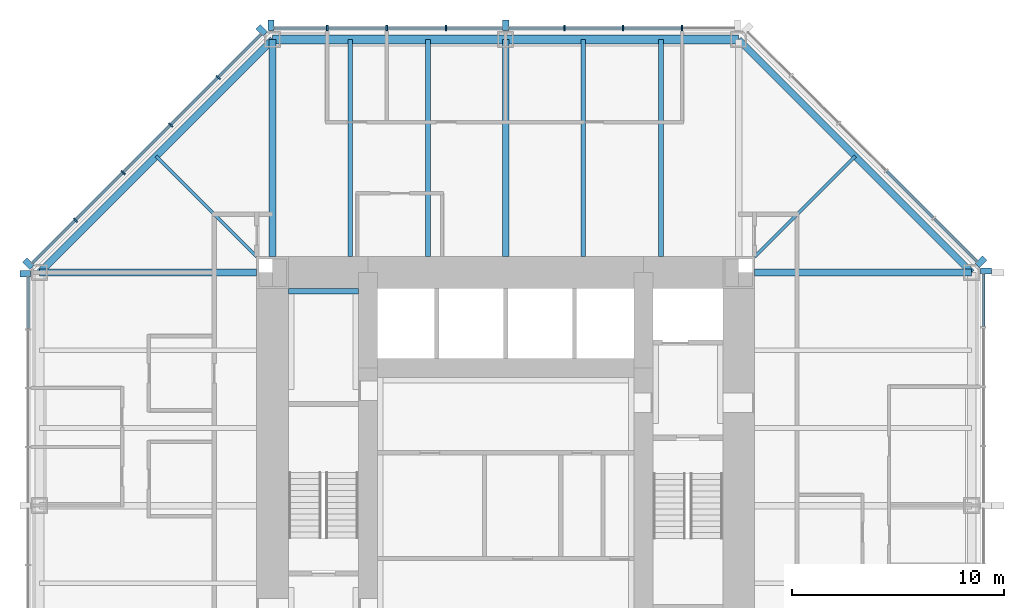
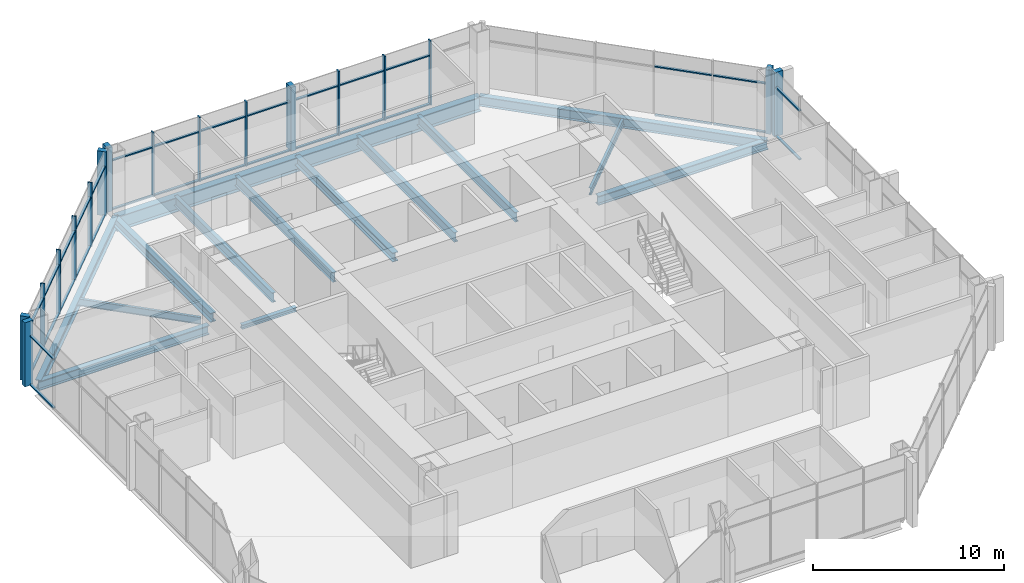
# One storey, part 5 of 12: 49 members, 15 beams, 5 elements without a shape of their own.
"""IFC4 building model written with IfcOpenShell, lengths in metres."""

from ifc_helpers import new_model, si_unit, direction, frame, origin, origin_2d, place, context, subcontext, project, spatial, rectangle, i_section, extrude, material, material_profile, profile_set, type_object, element, aggregate, save


model = new_model("IFC4")

# Units and contexts
model_context = context("Model", 3, precision=1e-05, world=origin(), true_north=direction((0.0, 1.0)))
body_context = subcontext(model_context, "Body", "Model", "MODEL_VIEW")
ifc_project = project(units=[si_unit("LENGTHUNIT", "METRE"), si_unit("AREAUNIT", "SQUARE_METRE"), si_unit("VOLUMEUNIT", "CUBIC_METRE"), si_unit("PLANEANGLEUNIT", "RADIAN"), si_unit("MASSUNIT", "GRAM", prefix="KILO")], contexts=[model_context])

# Site, building, storey
site_placement = place(None, origin())
site = spatial("IfcSite", under=ifc_project, at=site_placement, CompositionType="ELEMENT")
building_placement = place(site_placement, origin())
building = spatial("IfcBuilding", under=site, at=building_placement, Name="Trevanion Tower", CompositionType="ELEMENT")
storey_placement = place(building_placement, frame((0.0, 0.0, 141.800048828125)))
storey = spatial("IfcBuildingStorey", under=building, at=storey_placement, Name="L33", CompositionType="ELEMENT", Elevation=141.800048828125)

# Beams
ifc_material_1 = material(Name="Steel ASTM A992 Grade 50", Category="steel")
ifc_material_profile_1 = material_profile(ifc_material_1, i_section(OverallWidth=0.22900390625, OverallDepth=0.612060546875, WebThickness=0.011962890625, FlangeThickness=0.01953125, at=origin_2d()), Name="W24X84")
ifc_profile_set_1 = profile_set([ifc_material_profile_1], Name="Steel ASTM A992 Grade 50")
beam_type_1 = type_object("IfcBeamType", Name="B7 W24X84", PredefinedType="BEAM", material=ifc_profile_set_1)
for number, where, z_axis, x_axis, name in (
    (1, (7.333251953125, 11.75, -0.49609375), (0.0, 1.0, 0.0), (-1.0, 0.0, 0.0), "B7 L33"),
    (2, (3.666748046875, 11.75, -0.49609375), (0.0, 1.0, 0.0), (-1.0, 0.0, 0.0), "B7 L33"),
    (3, (-3.666748046875, 11.75, -0.49609375), (0.0, 1.0, 0.0), (-1.0, 0.0, 0.0), "B7 L33"),
    (4, (-7.333251953125, 11.75, -0.49609375), (0.0, 1.0, 0.0), (-1.0, 0.0, 0.0), "B7 L33"),
):
    element("IfcBeam", number, at=place(storey_placement, frame(where, z_axis=z_axis, x_axis=x_axis)), inside=storey, type_object=beam_type_1, Name=name, PredefinedType="BEAM", context=body_context, shape_type="SweptSolid", body=[
        extrude(i_section(OverallWidth=0.22900390625, OverallDepth=0.612060546875, WebThickness=0.011962890625, FlangeThickness=0.01953125, at=origin_2d()), origin(), (0.0, 0.0, 1.0), 10.25),
    ])
ifc_material_2 = material(Name="Steel ASTM A992 Grade 50", Category="steel")
ifc_material_profile_2 = material_profile(ifc_material_2, i_section(OverallWidth=0.15234375, OverallDepth=0.449462890625, WebThickness=0.007568359375, FlangeThickness=0.0107421875, at=origin_2d()), Name="W18X35")
ifc_profile_set_2 = profile_set([ifc_material_profile_2], Name="Steel ASTM A992 Grade 50")
beam_type_2 = type_object("IfcBeamType", Name="B8 W18X35", PredefinedType="BEAM", material=ifc_profile_set_2)
for number, where, z_axis, x_axis, name in (
    (5, (11.75, 11.75, -0.414794921875), (0.707106781187, 0.707106781187, 0.0), (-0.707106781187, 0.707106781187, 0.0), "B8 L33"),
    (6, (-11.75, 11.75, -0.414794921875), (-0.707106781187, 0.707106781187, 0.0), (-0.707106781187, -0.707106781187, 0.0), "B8 L33"),
):
    element("IfcBeam", number, at=place(storey_placement, frame(where, z_axis=z_axis, x_axis=x_axis)), inside=storey, type_object=beam_type_2, Name=name, PredefinedType="BEAM", context=body_context, shape_type="SweptSolid", body=[
        extrude(i_section(OverallWidth=0.15234375, OverallDepth=0.449462890625, WebThickness=0.007568359375, FlangeThickness=0.0107421875, at=origin_2d()), origin(), (0.0, 0.0, 1.0), 6.717529296875),
    ])

# Curtain wall, members
ifc_material_3 = material(Name="Aluminium and glass", Category="aluminium")
curtain_wall_type = type_object("IfcCurtainWallType", Name="CW2 curtain wall", PredefinedType="USERDEFINED", material=ifc_material_3)
curtain_wall_1_placement = place(storey_placement, origin())
curtain_wall_1 = element("IfcCurtainWall", 7, at=curtain_wall_1_placement, inside=storey, type_object=curtain_wall_type, Name="CW2 L33 2", ObjectType="UNITISED CURTAIN WALL", PredefinedType="USERDEFINED")
ifc_material_4 = material(Name="Aluminium extrusion, anodised bronze", Category="aluminium")
ifc_material_profile_3 = material_profile(ifc_material_4, rectangle(XDim=0.074951171875, YDim=0.25, at=origin_2d()), Name="CW2 mullion")
ifc_profile_set_3 = profile_set([ifc_material_profile_3], Name="Aluminium extrusion, anodised bronze")
member_type_1 = type_object("IfcMemberType", Name="CW2 mullion", PredefinedType="MULLION", material=ifc_profile_set_3)
member_1_placement = place(storey_placement, frame((8.323486328125, 22.550048828125, -0.18994140625), z_axis=(0.0, 0.0, 1.0), x_axis=(-1.0, 0.0, 0.0)))
member_1 = element("IfcMember", 8, at=member_1_placement, type_object=member_type_1, Name="CW2 mullion 2", PredefinedType="MULLION", context=body_context, shape_type="SweptSolid", body=[
    extrude(rectangle(XDim=0.074951171875, YDim=0.25, at=origin_2d()), origin(), (0.0, 0.0, 1.0), 4.099853515625),
])
member_2_placement = place(storey_placement, frame((5.548828125, 22.550048828125, -0.18994140625), z_axis=(0.0, 0.0, 1.0), x_axis=(-1.0, 0.0, 0.0)))
member_2 = element("IfcMember", 9, at=member_2_placement, type_object=member_type_1, Name="CW2 mullion 3", PredefinedType="MULLION", context=body_context, shape_type="SweptSolid", body=[
    extrude(rectangle(XDim=0.074951171875, YDim=0.25, at=origin_2d()), origin(), (0.0, 0.0, 1.0), 4.099853515625),
])
member_3_placement = place(storey_placement, frame((2.7744140625, 22.550048828125, -0.18994140625), z_axis=(0.0, 0.0, 1.0), x_axis=(-1.0, 0.0, 0.0)))
member_3 = element("IfcMember", 10, at=member_3_placement, type_object=member_type_1, Name="CW2 mullion 4", PredefinedType="MULLION", context=body_context, shape_type="SweptSolid", body=[
    extrude(rectangle(XDim=0.074951171875, YDim=0.25, at=origin_2d()), origin(), (0.0, 0.0, 1.0), 4.099853515625),
])
member_4_placement = place(storey_placement, frame((-2.806884765625, 22.550048828125, -0.18994140625), z_axis=(0.0, 0.0, 1.0), x_axis=(-1.0, 0.0, 0.0)))
member_4 = element("IfcMember", 11, at=member_4_placement, type_object=member_type_1, Name="CW2 mullion 6", PredefinedType="MULLION", context=body_context, shape_type="SweptSolid", body=[
    extrude(rectangle(XDim=0.074951171875, YDim=0.25, at=origin_2d()), origin(), (0.0, 0.0, 1.0), 4.099853515625),
])
member_5_placement = place(storey_placement, frame((-5.614013671875, 22.550048828125, -0.18994140625), z_axis=(0.0, 0.0, 1.0), x_axis=(-1.0, 0.0, 0.0)))
member_5 = element("IfcMember", 12, at=member_5_placement, type_object=member_type_1, Name="CW2 mullion 7", PredefinedType="MULLION", context=body_context, shape_type="SweptSolid", body=[
    extrude(rectangle(XDim=0.074951171875, YDim=0.25, at=origin_2d()), origin(), (0.0, 0.0, 1.0), 4.099853515625),
])
member_6_placement = place(storey_placement, frame((-8.4208984375, 22.550048828125, -0.18994140625), z_axis=(0.0, 0.0, 1.0), x_axis=(-1.0, 0.0, 0.0)))
member_6 = element("IfcMember", 13, at=member_6_placement, type_object=member_type_1, Name="CW2 mullion 8", PredefinedType="MULLION", context=body_context, shape_type="SweptSolid", body=[
    extrude(rectangle(XDim=0.074951171875, YDim=0.25, at=origin_2d()), origin(), (0.0, 0.0, 1.0), 4.099853515625),
])

curtain_wall_2_placement = place(storey_placement, origin())
curtain_wall_2 = element("IfcCurtainWall", 14, at=curtain_wall_2_placement, inside=storey, type_object=curtain_wall_type, Name="CW2 L33 3", ObjectType="UNITISED CURTAIN WALL", PredefinedType="USERDEFINED")
member_7_placement = place(storey_placement, frame((-13.56591796875, 20.2119140625, -0.18994140625), z_axis=(0.0, 0.0, 1.0), x_axis=(-0.707106781187, -0.707106781187, 0.0)))
member_7 = element("IfcMember", 15, at=member_7_placement, type_object=member_type_1, Name="CW2 mullion 2", PredefinedType="MULLION", context=body_context, shape_type="SweptSolid", body=[
    extrude(rectangle(XDim=0.074951171875, YDim=0.25, at=origin_2d()), origin(), (0.0, 0.0, 1.0), 4.099853515625),
])
member_8_placement = place(storey_placement, frame((-15.811767578125, 17.966064453125, -0.18994140625), z_axis=(0.0, 0.0, 1.0), x_axis=(-0.707106781187, -0.707106781187, 0.0)))
member_8 = element("IfcMember", 16, at=member_8_placement, type_object=member_type_1, Name="CW2 mullion 3", PredefinedType="MULLION", context=body_context, shape_type="SweptSolid", body=[
    extrude(rectangle(XDim=0.074951171875, YDim=0.25, at=origin_2d()), origin(), (0.0, 0.0, 1.0), 4.099853515625),
])
member_9_placement = place(storey_placement, frame((-18.057861328125, 15.719970703125, -0.18994140625), z_axis=(0.0, 0.0, 1.0), x_axis=(-0.707106781187, -0.707106781187, 0.0)))
member_9 = element("IfcMember", 17, at=member_9_placement, type_object=member_type_1, Name="CW2 mullion 4", PredefinedType="MULLION", context=body_context, shape_type="SweptSolid", body=[
    extrude(rectangle(XDim=0.074951171875, YDim=0.25, at=origin_2d()), origin(), (0.0, 0.0, 1.0), 4.099853515625),
])
member_10_placement = place(storey_placement, frame((-20.303955078125, 13.473876953125, -0.18994140625), z_axis=(0.0, 0.0, 1.0), x_axis=(-0.707106781187, -0.707106781187, 0.0)))
member_10 = element("IfcMember", 18, at=member_10_placement, type_object=member_type_1, Name="CW2 mullion 5", PredefinedType="MULLION", context=body_context, shape_type="SweptSolid", body=[
    extrude(rectangle(XDim=0.074951171875, YDim=0.25, at=origin_2d()), origin(), (0.0, 0.0, 1.0), 4.099853515625),
])

# Curtain wall, member
curtain_wall_3_placement = place(storey_placement, origin())
curtain_wall_3 = element("IfcCurtainWall", 19, at=curtain_wall_3_placement, inside=storey, type_object=curtain_wall_type, Name="CW2 L33 0", ObjectType="UNITISED CURTAIN WALL", PredefinedType="USERDEFINED")
ifc_material_5 = material(Name="Aluminium extrusion, anodised bronze", Category="aluminium")
ifc_material_profile_4 = material_profile(ifc_material_5, rectangle(XDim=0.300048828125, YDim=0.5, at=origin_2d()), Name="CW2 pier mullion")
ifc_profile_set_4 = profile_set([ifc_material_profile_4], Name="Aluminium extrusion, anodised bronze")
member_type_2 = type_object("IfcMemberType", Name="CW2 pier mullion", PredefinedType="MULLION", material=ifc_profile_set_4)
member_11_placement = place(storey_placement, frame((22.675048828125, 11.077880859375, -0.18994140625), z_axis=(0.0, 0.0, 1.0), x_axis=(0.0, 1.0, 0.0)))
member_11 = element("IfcMember", 20, at=member_11_placement, type_object=member_type_2, Name="CW2 pier mullion 9", PredefinedType="MULLION", context=body_context, shape_type="SweptSolid", body=[
    extrude(rectangle(XDim=0.300048828125, YDim=0.5, at=origin_2d()), origin(), (0.0, 0.0, 1.0), 4.099853515625),
])

curtain_wall_4_placement = place(storey_placement, origin())
curtain_wall_4 = element("IfcCurtainWall", 21, at=curtain_wall_4_placement, inside=storey, type_object=curtain_wall_type, Name="CW2 L33 1", ObjectType="UNITISED CURTAIN WALL", PredefinedType="USERDEFINED")
member_12_placement = place(storey_placement, frame((22.4404296875, 11.51416015625, -0.18994140625), z_axis=(0.0, 0.0, 1.0), x_axis=(-0.707106781187, 0.707106781187, 0.0)))
member_12 = element("IfcMember", 22, at=member_12_placement, type_object=member_type_2, Name="CW2 pier mullion 1", PredefinedType="MULLION", context=body_context, shape_type="SweptSolid", body=[
    extrude(rectangle(XDim=0.300048828125, YDim=0.5, at=origin_2d()), origin(), (0.0, 0.0, 1.0), 4.099853515625),
])

# Member
member_13_placement = place(storey_placement, frame((0.0, 22.675048828125, -0.18994140625), z_axis=(0.0, 0.0, 1.0), x_axis=(-1.0, 0.0, 0.0)))
member_13 = element("IfcMember", 23, at=member_13_placement, type_object=member_type_2, Name="CW2 pier mullion 5", PredefinedType="MULLION", context=body_context, shape_type="SweptSolid", body=[
    extrude(rectangle(XDim=0.300048828125, YDim=0.5, at=origin_2d()), origin(), (0.0, 0.0, 1.0), 4.099853515625),
])

member_14_placement = place(storey_placement, frame((-11.077880859375, 22.675048828125, -0.18994140625), z_axis=(0.0, 0.0, 1.0), x_axis=(-1.0, 0.0, 0.0)))
member_14 = element("IfcMember", 24, at=member_14_placement, type_object=member_type_2, Name="CW2 pier mullion 9", PredefinedType="MULLION", context=body_context, shape_type="SweptSolid", body=[
    extrude(rectangle(XDim=0.300048828125, YDim=0.5, at=origin_2d()), origin(), (0.0, 0.0, 1.0), 4.099853515625),
])

member_15_placement = place(storey_placement, frame((-11.51416015625, 22.4404296875, -0.18994140625), z_axis=(0.0, 0.0, 1.0), x_axis=(-0.707106781187, -0.707106781187, 0.0)))
member_15 = element("IfcMember", 25, at=member_15_placement, type_object=member_type_2, Name="CW2 pier mullion 1", PredefinedType="MULLION", context=body_context, shape_type="SweptSolid", body=[
    extrude(rectangle(XDim=0.300048828125, YDim=0.5, at=origin_2d()), origin(), (0.0, 0.0, 1.0), 4.099853515625),
])

member_16_placement = place(storey_placement, frame((-22.5322265625, 11.42236328125, -0.18994140625), z_axis=(0.0, 0.0, 1.0), x_axis=(-0.707106781187, -0.707106781187, 0.0)))
member_16 = element("IfcMember", 26, at=member_16_placement, type_object=member_type_2, Name="CW2 pier mullion 6", PredefinedType="MULLION", context=body_context, shape_type="SweptSolid", body=[
    extrude(rectangle(XDim=0.300048828125, YDim=0.5, at=origin_2d()), origin(), (0.0, 0.0, 1.0), 4.099853515625),
])

# Curtain wall, member
curtain_wall_5_placement = place(storey_placement, origin())
curtain_wall_5 = element("IfcCurtainWall", 27, at=curtain_wall_5_placement, inside=storey, type_object=curtain_wall_type, Name="CW2 L33 4", ObjectType="UNITISED CURTAIN WALL", PredefinedType="USERDEFINED")
member_17_placement = place(storey_placement, frame((-22.675048828125, 10.94775390625, -0.18994140625), z_axis=(0.0, 0.0, 1.0), x_axis=(0.0, -1.0, 0.0)))
member_17 = element("IfcMember", 28, at=member_17_placement, type_object=member_type_2, Name="CW2 pier mullion 1", PredefinedType="MULLION", context=body_context, shape_type="SweptSolid", body=[
    extrude(rectangle(XDim=0.300048828125, YDim=0.5, at=origin_2d()), origin(), (0.0, 0.0, 1.0), 4.099853515625),
])

# Member
ifc_material_6 = material(Name="Aluminium extrusion, anodised bronze", Category="aluminium")
ifc_material_profile_5 = material_profile(ifc_material_6, rectangle(XDim=0.14990234375, YDim=0.074951171875, at=origin_2d()), Name="CW2 transom")
ifc_profile_set_5 = profile_set([ifc_material_profile_5], Name="Aluminium extrusion, anodised bronze")
member_type_3 = type_object("IfcMemberType", Name="CW2 transom", PredefinedType="USERDEFINED", material=ifc_profile_set_5)
member_18_placement = place(storey_placement, frame((22.550048828125, 8.45849609375, -0.152587890625), z_axis=(0.0, 1.0, 0.0), x_axis=(-1.0, 0.0, 0.0)))
member_18 = element("IfcMember", 29, at=member_18_placement, type_object=member_type_3, Name="CW2 transom 8.1", ObjectType="TRANSOM", PredefinedType="USERDEFINED", context=body_context, shape_type="SweptSolid", body=[
    extrude(rectangle(XDim=0.14990234375, YDim=0.074951171875, at=origin_2d()), origin(), (0.0, 0.0, 1.0), 2.46923828125),
])

member_19_placement = place(storey_placement, frame((22.550048828125, 8.45849609375, 2.9599609375), z_axis=(0.0, 1.0, 0.0), x_axis=(-1.0, 0.0, 0.0)))
member_19 = element("IfcMember", 30, at=member_19_placement, type_object=member_type_3, Name="CW2 transom 8.2", ObjectType="TRANSOM", PredefinedType="USERDEFINED", context=body_context, shape_type="SweptSolid", body=[
    extrude(rectangle(XDim=0.14990234375, YDim=0.074951171875, at=origin_2d()), origin(), (0.0, 0.0, 1.0), 2.46923828125),
])

aggregate(curtain_wall_3, [member_11, member_18, member_19])

member_20_placement = place(storey_placement, frame((22.245849609375, 11.531982421875, -0.152587890625), z_axis=(-0.707106781187, 0.707106781187, 0.0), x_axis=(-0.707106781187, -0.707106781187, 0.0)))
member_20 = element("IfcMember", 31, at=member_20_placement, type_object=member_type_3, Name="CW2 transom 1.1", ObjectType="TRANSOM", PredefinedType="USERDEFINED", context=body_context, shape_type="SweptSolid", body=[
    extrude(rectangle(XDim=0.14990234375, YDim=0.074951171875, at=origin_2d()), origin(), (0.0, 0.0, 1.0), 2.8388671875),
])

member_21_placement = place(storey_placement, frame((22.245849609375, 11.531982421875, 2.9599609375), z_axis=(-0.707106781187, 0.707106781187, 0.0), x_axis=(-0.707106781187, -0.707106781187, 0.0)))
member_21 = element("IfcMember", 32, at=member_21_placement, type_object=member_type_3, Name="CW2 transom 1.2", ObjectType="TRANSOM", PredefinedType="USERDEFINED", context=body_context, shape_type="SweptSolid", body=[
    extrude(rectangle(XDim=0.14990234375, YDim=0.074951171875, at=origin_2d()), origin(), (0.0, 0.0, 1.0), 2.8388671875),
])

member_22_placement = place(storey_placement, frame((20.185546875, 13.59228515625, -0.152587890625), z_axis=(-0.707106781187, 0.707106781187, 0.0), x_axis=(-0.707106781187, -0.707106781187, 0.0)))
member_22 = element("IfcMember", 33, at=member_22_placement, type_object=member_type_3, Name="CW2 transom 2.1", ObjectType="TRANSOM", PredefinedType="USERDEFINED", context=body_context, shape_type="SweptSolid", body=[
    extrude(rectangle(XDim=0.14990234375, YDim=0.074951171875, at=origin_2d()), origin(), (0.0, 0.0, 1.0), 3.1015625),
])

member_23_placement = place(storey_placement, frame((20.185546875, 13.59228515625, 2.9599609375), z_axis=(-0.707106781187, 0.707106781187, 0.0), x_axis=(-0.707106781187, -0.707106781187, 0.0)))
member_23 = element("IfcMember", 34, at=member_23_placement, type_object=member_type_3, Name="CW2 transom 2.2", ObjectType="TRANSOM", PredefinedType="USERDEFINED", context=body_context, shape_type="SweptSolid", body=[
    extrude(rectangle(XDim=0.14990234375, YDim=0.074951171875, at=origin_2d()), origin(), (0.0, 0.0, 1.0), 3.1015625),
])

aggregate(curtain_wall_4, [member_12, member_20, member_21, member_22, member_23])

member_24_placement = place(storey_placement, frame((8.285888671875, 22.550048828125, -0.152587890625), z_axis=(-1.0, 0.0, 0.0), x_axis=(0.0, -1.0, 0.0)))
member_24 = element("IfcMember", 35, at=member_24_placement, type_object=member_type_3, Name="CW2 transom 2.1", ObjectType="TRANSOM", PredefinedType="USERDEFINED", context=body_context, shape_type="SweptSolid", body=[
    extrude(rectangle(XDim=0.14990234375, YDim=0.074951171875, at=origin_2d()), origin(), (0.0, 0.0, 1.0), 2.699462890625),
])

member_25_placement = place(storey_placement, frame((8.285888671875, 22.550048828125, 2.9599609375), z_axis=(-1.0, 0.0, 0.0), x_axis=(0.0, -1.0, 0.0)))
member_25 = element("IfcMember", 36, at=member_25_placement, type_object=member_type_3, Name="CW2 transom 2.2", ObjectType="TRANSOM", PredefinedType="USERDEFINED", context=body_context, shape_type="SweptSolid", body=[
    extrude(rectangle(XDim=0.14990234375, YDim=0.074951171875, at=origin_2d()), origin(), (0.0, 0.0, 1.0), 2.699462890625),
])

member_26_placement = place(storey_placement, frame((5.511474609375, 22.550048828125, -0.152587890625), z_axis=(-1.0, 0.0, 0.0), x_axis=(0.0, -1.0, 0.0)))
member_26 = element("IfcMember", 37, at=member_26_placement, type_object=member_type_3, Name="CW2 transom 3.1", ObjectType="TRANSOM", PredefinedType="USERDEFINED", context=body_context, shape_type="SweptSolid", body=[
    extrude(rectangle(XDim=0.14990234375, YDim=0.074951171875, at=origin_2d()), origin(), (0.0, 0.0, 1.0), 2.699462890625),
])

member_27_placement = place(storey_placement, frame((5.511474609375, 22.550048828125, 2.9599609375), z_axis=(-1.0, 0.0, 0.0), x_axis=(0.0, -1.0, 0.0)))
member_27 = element("IfcMember", 38, at=member_27_placement, type_object=member_type_3, Name="CW2 transom 3.2", ObjectType="TRANSOM", PredefinedType="USERDEFINED", context=body_context, shape_type="SweptSolid", body=[
    extrude(rectangle(XDim=0.14990234375, YDim=0.074951171875, at=origin_2d()), origin(), (0.0, 0.0, 1.0), 2.699462890625),
])

member_28_placement = place(storey_placement, frame((2.737060546875, 22.550048828125, -0.152587890625), z_axis=(-1.0, 0.0, 0.0), x_axis=(0.0, -1.0, 0.0)))
member_28 = element("IfcMember", 39, at=member_28_placement, type_object=member_type_3, Name="CW2 transom 4.1", ObjectType="TRANSOM", PredefinedType="USERDEFINED", context=body_context, shape_type="SweptSolid", body=[
    extrude(rectangle(XDim=0.14990234375, YDim=0.074951171875, at=origin_2d()), origin(), (0.0, 0.0, 1.0), 2.587158203125),
])

member_29_placement = place(storey_placement, frame((2.737060546875, 22.550048828125, 2.9599609375), z_axis=(-1.0, 0.0, 0.0), x_axis=(0.0, -1.0, 0.0)))
member_29 = element("IfcMember", 40, at=member_29_placement, type_object=member_type_3, Name="CW2 transom 4.2", ObjectType="TRANSOM", PredefinedType="USERDEFINED", context=body_context, shape_type="SweptSolid", body=[
    extrude(rectangle(XDim=0.14990234375, YDim=0.074951171875, at=origin_2d()), origin(), (0.0, 0.0, 1.0), 2.587158203125),
])

member_30_placement = place(storey_placement, frame((-0.14990234375, 22.550048828125, -0.152587890625), z_axis=(-1.0, 0.0, 0.0), x_axis=(0.0, -1.0, 0.0)))
member_30 = element("IfcMember", 41, at=member_30_placement, type_object=member_type_3, Name="CW2 transom 5.1", ObjectType="TRANSOM", PredefinedType="USERDEFINED", context=body_context, shape_type="SweptSolid", body=[
    extrude(rectangle(XDim=0.14990234375, YDim=0.074951171875, at=origin_2d()), origin(), (0.0, 0.0, 1.0), 2.619384765625),
])

member_31_placement = place(storey_placement, frame((-0.14990234375, 22.550048828125, 2.9599609375), z_axis=(-1.0, 0.0, 0.0), x_axis=(0.0, -1.0, 0.0)))
member_31 = element("IfcMember", 42, at=member_31_placement, type_object=member_type_3, Name="CW2 transom 5.2", ObjectType="TRANSOM", PredefinedType="USERDEFINED", context=body_context, shape_type="SweptSolid", body=[
    extrude(rectangle(XDim=0.14990234375, YDim=0.074951171875, at=origin_2d()), origin(), (0.0, 0.0, 1.0), 2.619384765625),
])

member_32_placement = place(storey_placement, frame((-2.844482421875, 22.550048828125, -0.152587890625), z_axis=(-1.0, 0.0, 0.0), x_axis=(0.0, -1.0, 0.0)))
member_32 = element("IfcMember", 43, at=member_32_placement, type_object=member_type_3, Name="CW2 transom 6.1", ObjectType="TRANSOM", PredefinedType="USERDEFINED", context=body_context, shape_type="SweptSolid", body=[
    extrude(rectangle(XDim=0.14990234375, YDim=0.074951171875, at=origin_2d()), origin(), (0.0, 0.0, 1.0), 2.73193359375),
])

member_33_placement = place(storey_placement, frame((-2.844482421875, 22.550048828125, 2.9599609375), z_axis=(-1.0, 0.0, 0.0), x_axis=(0.0, -1.0, 0.0)))
member_33 = element("IfcMember", 44, at=member_33_placement, type_object=member_type_3, Name="CW2 transom 6.2", ObjectType="TRANSOM", PredefinedType="USERDEFINED", context=body_context, shape_type="SweptSolid", body=[
    extrude(rectangle(XDim=0.14990234375, YDim=0.074951171875, at=origin_2d()), origin(), (0.0, 0.0, 1.0), 2.73193359375),
])

member_34_placement = place(storey_placement, frame((-5.6513671875, 22.550048828125, -0.152587890625), z_axis=(-1.0, 0.0, 0.0), x_axis=(0.0, -1.0, 0.0)))
member_34 = element("IfcMember", 45, at=member_34_placement, type_object=member_type_3, Name="CW2 transom 7.1", ObjectType="TRANSOM", PredefinedType="USERDEFINED", context=body_context, shape_type="SweptSolid", body=[
    extrude(rectangle(XDim=0.14990234375, YDim=0.074951171875, at=origin_2d()), origin(), (0.0, 0.0, 1.0), 2.73193359375),
])

member_35_placement = place(storey_placement, frame((-5.6513671875, 22.550048828125, 2.9599609375), z_axis=(-1.0, 0.0, 0.0), x_axis=(0.0, -1.0, 0.0)))
member_35 = element("IfcMember", 46, at=member_35_placement, type_object=member_type_3, Name="CW2 transom 7.2", ObjectType="TRANSOM", PredefinedType="USERDEFINED", context=body_context, shape_type="SweptSolid", body=[
    extrude(rectangle(XDim=0.14990234375, YDim=0.074951171875, at=origin_2d()), origin(), (0.0, 0.0, 1.0), 2.73193359375),
])

member_36_placement = place(storey_placement, frame((-8.45849609375, 22.550048828125, -0.152587890625), z_axis=(-1.0, 0.0, 0.0), x_axis=(0.0, -1.0, 0.0)))
member_36 = element("IfcMember", 47, at=member_36_placement, type_object=member_type_3, Name="CW2 transom 8.1", ObjectType="TRANSOM", PredefinedType="USERDEFINED", context=body_context, shape_type="SweptSolid", body=[
    extrude(rectangle(XDim=0.14990234375, YDim=0.074951171875, at=origin_2d()), origin(), (0.0, 0.0, 1.0), 2.46923828125),
])

member_37_placement = place(storey_placement, frame((-8.45849609375, 22.550048828125, 2.9599609375), z_axis=(-1.0, 0.0, 0.0), x_axis=(0.0, -1.0, 0.0)))
member_37 = element("IfcMember", 48, at=member_37_placement, type_object=member_type_3, Name="CW2 transom 8.2", ObjectType="TRANSOM", PredefinedType="USERDEFINED", context=body_context, shape_type="SweptSolid", body=[
    extrude(rectangle(XDim=0.14990234375, YDim=0.074951171875, at=origin_2d()), origin(), (0.0, 0.0, 1.0), 2.46923828125),
])

aggregate(curtain_wall_1, [member_1, member_2, member_3, member_13, member_4, member_5, member_6, member_14, member_24, member_25, member_26, member_27, member_28, member_29, member_30, member_31, member_32, member_33, member_34, member_35, member_36, member_37])

member_38_placement = place(storey_placement, frame((-11.531982421875, 22.245849609375, -0.152587890625), z_axis=(-0.707106781187, -0.707106781187, 0.0), x_axis=(0.707106781187, -0.707106781187, 0.0)))
member_38 = element("IfcMember", 49, at=member_38_placement, type_object=member_type_3, Name="CW2 transom 1.1", ObjectType="TRANSOM", PredefinedType="USERDEFINED", context=body_context, shape_type="SweptSolid", body=[
    extrude(rectangle(XDim=0.14990234375, YDim=0.074951171875, at=origin_2d()), origin(), (0.0, 0.0, 1.0), 2.8388671875),
])

member_39_placement = place(storey_placement, frame((-11.531982421875, 22.245849609375, 2.9599609375), z_axis=(-0.707106781187, -0.707106781187, 0.0), x_axis=(0.707106781187, -0.707106781187, 0.0)))
member_39 = element("IfcMember", 50, at=member_39_placement, type_object=member_type_3, Name="CW2 transom 1.2", ObjectType="TRANSOM", PredefinedType="USERDEFINED", context=body_context, shape_type="SweptSolid", body=[
    extrude(rectangle(XDim=0.14990234375, YDim=0.074951171875, at=origin_2d()), origin(), (0.0, 0.0, 1.0), 2.8388671875),
])

member_40_placement = place(storey_placement, frame((-13.59228515625, 20.185546875, -0.152587890625), z_axis=(-0.707106781187, -0.707106781187, 0.0), x_axis=(0.707106781187, -0.707106781187, 0.0)))
member_40 = element("IfcMember", 51, at=member_40_placement, type_object=member_type_3, Name="CW2 transom 2.1", ObjectType="TRANSOM", PredefinedType="USERDEFINED", context=body_context, shape_type="SweptSolid", body=[
    extrude(rectangle(XDim=0.14990234375, YDim=0.074951171875, at=origin_2d()), origin(), (0.0, 0.0, 1.0), 3.1015625),
])

member_41_placement = place(storey_placement, frame((-13.59228515625, 20.185546875, 2.9599609375), z_axis=(-0.707106781187, -0.707106781187, 0.0), x_axis=(0.707106781187, -0.707106781187, 0.0)))
member_41 = element("IfcMember", 52, at=member_41_placement, type_object=member_type_3, Name="CW2 transom 2.2", ObjectType="TRANSOM", PredefinedType="USERDEFINED", context=body_context, shape_type="SweptSolid", body=[
    extrude(rectangle(XDim=0.14990234375, YDim=0.074951171875, at=origin_2d()), origin(), (0.0, 0.0, 1.0), 3.1015625),
])

member_42_placement = place(storey_placement, frame((-15.83837890625, 17.939453125, -0.152587890625), z_axis=(-0.707106781187, -0.707106781187, 0.0), x_axis=(0.707106781187, -0.707106781187, 0.0)))
member_42 = element("IfcMember", 53, at=member_42_placement, type_object=member_type_3, Name="CW2 transom 3.1", ObjectType="TRANSOM", PredefinedType="USERDEFINED", context=body_context, shape_type="SweptSolid", body=[
    extrude(rectangle(XDim=0.14990234375, YDim=0.074951171875, at=origin_2d()), origin(), (0.0, 0.0, 1.0), 3.1015625),
])

member_43_placement = place(storey_placement, frame((-15.83837890625, 17.939453125, 2.9599609375), z_axis=(-0.707106781187, -0.707106781187, 0.0), x_axis=(0.707106781187, -0.707106781187, 0.0)))
member_43 = element("IfcMember", 54, at=member_43_placement, type_object=member_type_3, Name="CW2 transom 3.2", ObjectType="TRANSOM", PredefinedType="USERDEFINED", context=body_context, shape_type="SweptSolid", body=[
    extrude(rectangle(XDim=0.14990234375, YDim=0.074951171875, at=origin_2d()), origin(), (0.0, 0.0, 1.0), 3.1015625),
])

member_44_placement = place(storey_placement, frame((-18.08447265625, 15.693359375, -0.152587890625), z_axis=(-0.707106781187, -0.707106781187, 0.0), x_axis=(0.707106781187, -0.707106781187, 0.0)))
member_44 = element("IfcMember", 55, at=member_44_placement, type_object=member_type_3, Name="CW2 transom 4.1", ObjectType="TRANSOM", PredefinedType="USERDEFINED", context=body_context, shape_type="SweptSolid", body=[
    extrude(rectangle(XDim=0.14990234375, YDim=0.074951171875, at=origin_2d()), origin(), (0.0, 0.0, 1.0), 3.10107421875),
])

member_45_placement = place(storey_placement, frame((-18.08447265625, 15.693359375, 2.9599609375), z_axis=(-0.707106781187, -0.707106781187, 0.0), x_axis=(0.707106781187, -0.707106781187, 0.0)))
member_45 = element("IfcMember", 56, at=member_45_placement, type_object=member_type_3, Name="CW2 transom 4.2", ObjectType="TRANSOM", PredefinedType="USERDEFINED", context=body_context, shape_type="SweptSolid", body=[
    extrude(rectangle(XDim=0.14990234375, YDim=0.074951171875, at=origin_2d()), origin(), (0.0, 0.0, 1.0), 3.10107421875),
])

member_46_placement = place(storey_placement, frame((-20.33056640625, 13.447509765625, -0.152587890625), z_axis=(-0.707063781595, -0.707149778163, 0.0), x_axis=(0.707149778163, -0.707063781595, 0.0)))
member_46 = element("IfcMember", 57, at=member_46_placement, type_object=member_type_3, Name="CW2 transom 5.1", ObjectType="TRANSOM", PredefinedType="USERDEFINED", context=body_context, shape_type="SweptSolid", body=[
    extrude(rectangle(XDim=0.14990234375, YDim=0.074951171875, at=origin_2d()), origin(), (0.0, 0.0, 1.0), 2.8388671875),
])

member_47_placement = place(storey_placement, frame((-20.33056640625, 13.447509765625, 2.9599609375), z_axis=(-0.707063781595, -0.707149778163, 0.0), x_axis=(0.707149778163, -0.707063781595, 0.0)))
member_47 = element("IfcMember", 58, at=member_47_placement, type_object=member_type_3, Name="CW2 transom 5.2", ObjectType="TRANSOM", PredefinedType="USERDEFINED", context=body_context, shape_type="SweptSolid", body=[
    extrude(rectangle(XDim=0.14990234375, YDim=0.074951171875, at=origin_2d()), origin(), (0.0, 0.0, 1.0), 2.8388671875),
])

aggregate(curtain_wall_2, [member_15, member_7, member_8, member_9, member_10, member_16, member_38, member_39, member_40, member_41, member_42, member_43, member_44, member_45, member_46, member_47])

member_48_placement = place(storey_placement, frame((-22.550048828125, 10.7978515625, -0.152587890625), z_axis=(0.0, -1.0, 0.0), x_axis=(1.0, 0.0, 0.0)))
member_48 = element("IfcMember", 59, at=member_48_placement, type_object=member_type_3, Name="CW2 transom 1.1", ObjectType="TRANSOM", PredefinedType="USERDEFINED", context=body_context, shape_type="SweptSolid", body=[
    extrude(rectangle(XDim=0.14990234375, YDim=0.074951171875, at=origin_2d()), origin(), (0.0, 0.0, 1.0), 2.43701171875),
])

member_49_placement = place(storey_placement, frame((-22.550048828125, 10.7978515625, 2.9599609375), z_axis=(0.0, -1.0, 0.0), x_axis=(1.0, 0.0, 0.0)))
member_49 = element("IfcMember", 60, at=member_49_placement, type_object=member_type_3, Name="CW2 transom 1.2", ObjectType="TRANSOM", PredefinedType="USERDEFINED", context=body_context, shape_type="SweptSolid", body=[
    extrude(rectangle(XDim=0.14990234375, YDim=0.074951171875, at=origin_2d()), origin(), (0.0, 0.0, 1.0), 2.43701171875),
])

aggregate(curtain_wall_5, [member_17, member_48, member_49])

# Beams
ifc_material_7 = material(Name="Steel ASTM A992 Grade 50", Category="steel")
ifc_material_profile_6 = material_profile(ifc_material_7, i_section(OverallWidth=0.320068359375, OverallDepth=0.584228515625, WebThickness=0.023193359375, FlangeThickness=0.04150390625, at=origin_2d()), Name="W21X201")
ifc_profile_set_6 = profile_set([ifc_material_profile_6], Name="Steel ASTM A992 Grade 50")
beam_type_3 = type_object("IfcBeamType", Name="G4 W21X201", PredefinedType="BEAM", material=ifc_profile_set_6)
for number, where, z_axis, x_axis, name in (
    (61, (11.75, 11.0, -0.482177734375), (1.0, 0.0, 0.0), (0.0, 1.0, 0.0), "G4 L33"),
    (62, (0.0, 11.75, -0.482177734375), (0.0, 1.0, 0.0), (-1.0, 0.0, 0.0), "G4 L33"),
    (63, (-11.0, 11.75, -0.482177734375), (0.0, 1.0, 0.0), (-1.0, 0.0, 0.0), "G4 L33"),
    (64, (-11.75, 11.0, -0.482177734375), (-1.0, 0.0, 0.0), (0.0, -1.0, 0.0), "G4 L33"),
):
    element("IfcBeam", number, at=place(storey_placement, frame(where, z_axis=z_axis, x_axis=x_axis)), inside=storey, type_object=beam_type_3, Name=name, PredefinedType="BEAM", context=body_context, shape_type="SweptSolid", body=[
        extrude(i_section(OverallWidth=0.320068359375, OverallDepth=0.584228515625, WebThickness=0.023193359375, FlangeThickness=0.04150390625, at=origin_2d()), origin(), (0.0, 0.0, 1.0), 10.25),
    ])
ifc_material_8 = material(Name="Steel ASTM A992 Grade 50", Category="steel")
ifc_material_profile_7 = material_profile(ifc_material_8, i_section(OverallWidth=0.256591796875, OverallDepth=0.26416015625, WebThickness=0.011962890625, FlangeThickness=0.01953125, at=origin_2d()), Name="W10X68")
ifc_profile_set_7 = profile_set([ifc_material_profile_7], Name="Steel ASTM A992 Grade 50")
beam_type_4 = type_object("IfcBeamType", Name="LB1 W10X68", PredefinedType="BEAM", material=ifc_profile_set_7)
beam_placement = place(storey_placement, frame((-10.25, 10.12158203125, -0.33203125), z_axis=(1.0, 0.0, 0.0), x_axis=(0.0, 1.0, 0.0)))
element("IfcBeam", 65, at=beam_placement, inside=storey, type_object=beam_type_4, Name="LB1 L33", PredefinedType="BEAM", context=body_context, shape_type="SweptSolid", body=[
    extrude(i_section(OverallWidth=0.256591796875, OverallDepth=0.26416015625, WebThickness=0.011962890625, FlangeThickness=0.01953125, at=origin_2d()), origin(), (0.0, 0.0, 1.0), 3.300048828125),
])
ifc_material_9 = material(Name="Steel ASTM A992 Grade 50", Category="steel")
ifc_material_profile_8 = material_profile(ifc_material_9, i_section(OverallWidth=0.419189453125, OverallDepth=0.927001953125, WebThickness=0.019287109375, FlangeThickness=0.031982421875, at=origin_2d()), Name="W36X231")
ifc_profile_set_8 = profile_set([ifc_material_profile_8], Name="Steel ASTM A992 Grade 50")
beam_type_5 = type_object("IfcBeamType", Name="SB4 W36X231", PredefinedType="SPANDREL", material=ifc_profile_set_8)
for number, where, z_axis, x_axis, name in (
    (66, (11.0, 22.0, -0.653564453125), (-1.0, 0.0, 0.0), (0.0, -1.0, 0.0), "SB4 L33"),
    (67, (0.0, 22.0, -0.653564453125), (-1.0, 0.0, 0.0), (0.0, -1.0, 0.0), "SB4 L33"),
):
    element("IfcBeam", number, at=place(storey_placement, frame(where, z_axis=z_axis, x_axis=x_axis)), inside=storey, type_object=beam_type_5, Name=name, PredefinedType="SPANDREL", context=body_context, shape_type="SweptSolid", body=[
        extrude(i_section(OverallWidth=0.419189453125, OverallDepth=0.927001953125, WebThickness=0.019287109375, FlangeThickness=0.031982421875, at=origin_2d()), origin(), (0.0, 0.0, 1.0), 11.0),
    ])
ifc_material_10 = material(Name="Steel ASTM A992 Grade 50", Category="steel")
ifc_material_profile_9 = material_profile(ifc_material_10, i_section(OverallWidth=0.32763671875, OverallDepth=0.62744140625, WebThickness=0.0166015625, FlangeThickness=0.027587890625, at=origin_2d()), Name="W24X146")
ifc_profile_set_9 = profile_set([ifc_material_profile_9], Name="Steel ASTM A992 Grade 50")
beam_type_6 = type_object("IfcBeamType", Name="SB5 W24X146", PredefinedType="SPANDREL", material=ifc_profile_set_9)
for number, where, z_axis, x_axis, name in (
    (68, (22.0, 11.0, -0.503662109375), (-0.707106781187, 0.707106781187, 0.0), (-0.707106781187, -0.707106781187, 0.0), "SB5 L33"),
    (69, (-11.0, 22.0, -0.503662109375), (-0.707106781187, -0.707106781187, 0.0), (0.707106781187, -0.707106781187, 0.0), "SB5 L33"),
):
    element("IfcBeam", number, at=place(storey_placement, frame(where, z_axis=z_axis, x_axis=x_axis)), inside=storey, type_object=beam_type_6, Name=name, PredefinedType="SPANDREL", context=body_context, shape_type="SweptSolid", body=[
        extrude(i_section(OverallWidth=0.32763671875, OverallDepth=0.62744140625, WebThickness=0.0166015625, FlangeThickness=0.027587890625, at=origin_2d()), origin(), (0.0, 0.0, 1.0), 15.556396484375),
    ])

save(model, "model.ifc")
